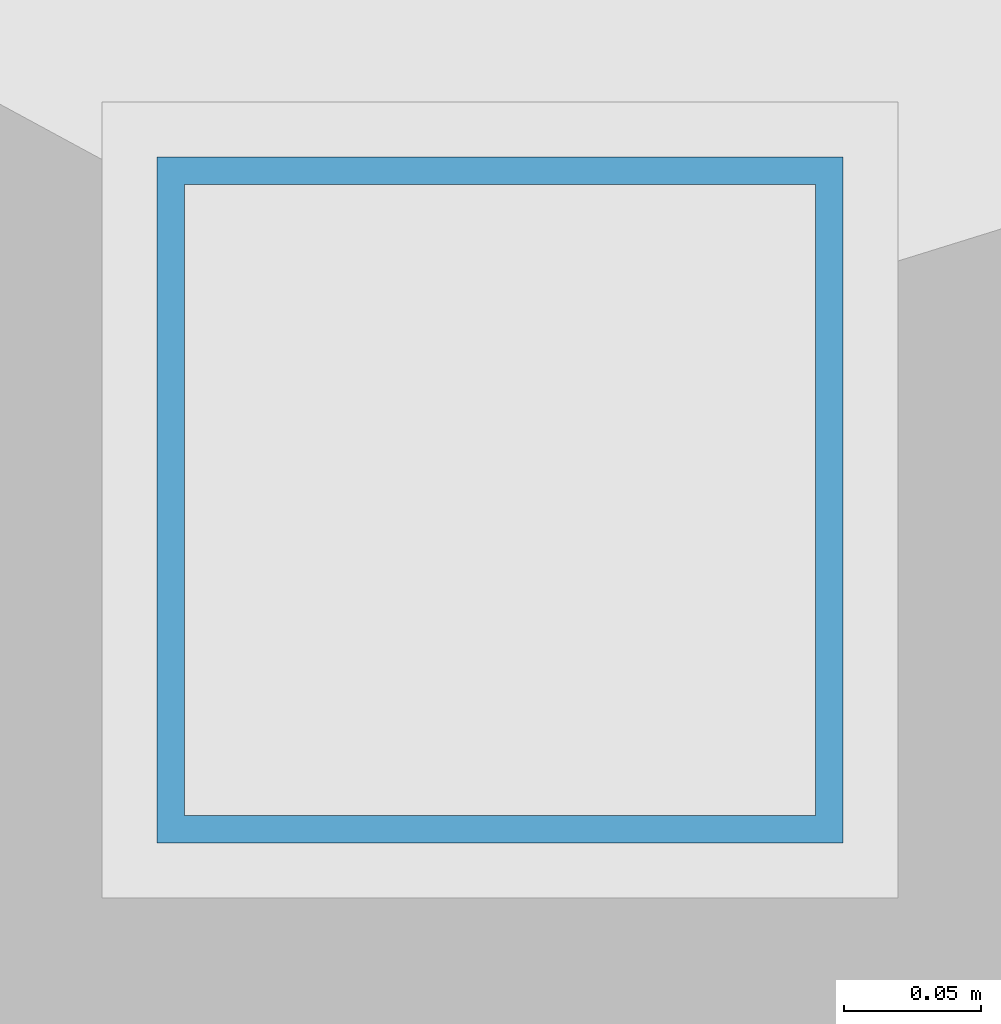
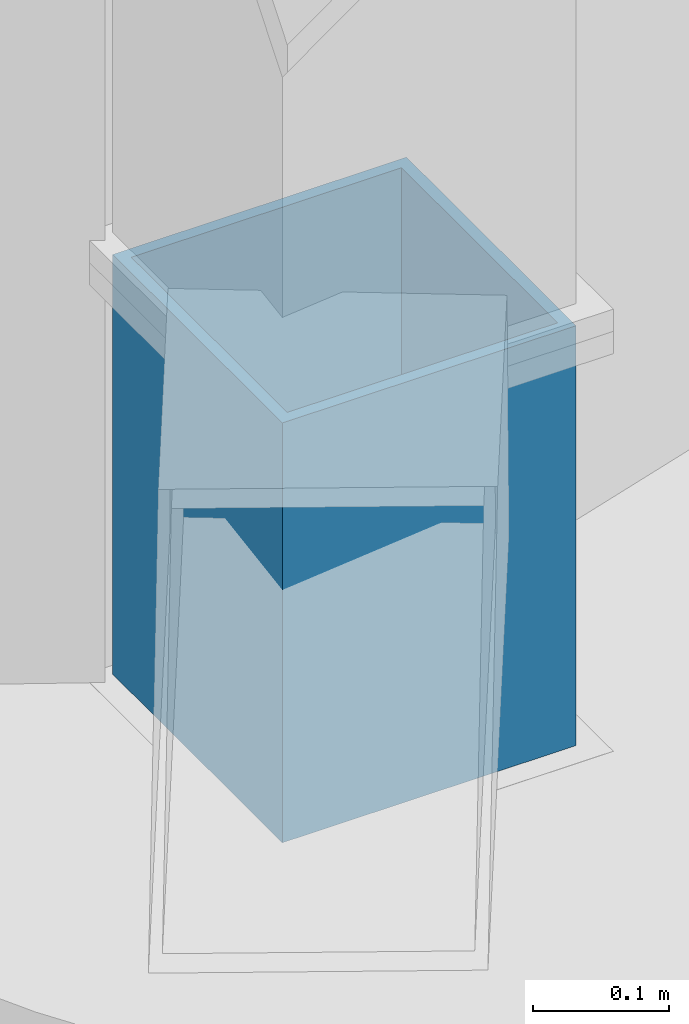
# One storey, part 224 of 344: 1 member.
"""IFC4 building model written with IfcOpenShell, lengths in metres."""

from ifc_helpers import new_model, si_unit, direction, frame, origin, origin_2d, place, context, subcontext, project, spatial, hollow_rectangle, extrude, material, material_profile, profile_set, type_object, element, save


model = new_model("IFC4")

# Units and contexts
model_context = context("Model", 3, precision=1e-05, world=origin(), true_north=direction((0.0, 1.0)))
body_context = subcontext(model_context, "Body", "Model", "MODEL_VIEW")
ifc_project = project(units=[si_unit("LENGTHUNIT", "METRE"), si_unit("AREAUNIT", "SQUARE_METRE"), si_unit("VOLUMEUNIT", "CUBIC_METRE"), si_unit("PLANEANGLEUNIT", "RADIAN"), si_unit("MASSUNIT", "GRAM", prefix="KILO")], contexts=[model_context])

# Site, building, storey
site_placement = place(None, origin())
site = spatial("IfcSite", under=ifc_project, at=site_placement, CompositionType="ELEMENT")
building_placement = place(site_placement, origin())
building = spatial("IfcBuilding", under=site, at=building_placement, Name="Meseta Stadium", CompositionType="ELEMENT")
storey_placement = place(building_placement, frame((0.0, 0.0, 24.0)))
storey = spatial("IfcBuildingStorey", under=building, at=storey_placement, Name="L04", CompositionType="ELEMENT", Elevation=24.0)

# Member
ifc_material = material(Name="Steel S355", Category="steel")
ifc_material_profile = material_profile(ifc_material, hollow_rectangle(XDim=0.25, YDim=0.25, WallThickness=0.010009765625, at=origin_2d()), Name="SHS 250x250x10")
ifc_profile_set = profile_set([ifc_material_profile], Name="Steel S355")
member_type = type_object("IfcMemberType", Name="SHS 250x250x10 rim post", PredefinedType="POST", material=ifc_profile_set)
member_placement = place(storey_placement, frame((51.44140625, 98.29443359375, 6.0), z_axis=(0.0, 0.0, 1.0), x_axis=(1.0, 0.0, 0.0)))
element("IfcMember", 1, at=member_placement, inside=storey, type_object=member_type, Name="ROOF RIM POST RT-15", PredefinedType="POST", context=body_context, shape_type="SweptSolid", body=[
    extrude(hollow_rectangle(XDim=0.25, YDim=0.25, WallThickness=0.010009765625, at=origin_2d()), origin(), (0.0, 0.0, 1.0), 0.377685546875),
])

save(model, "model.ifc")
